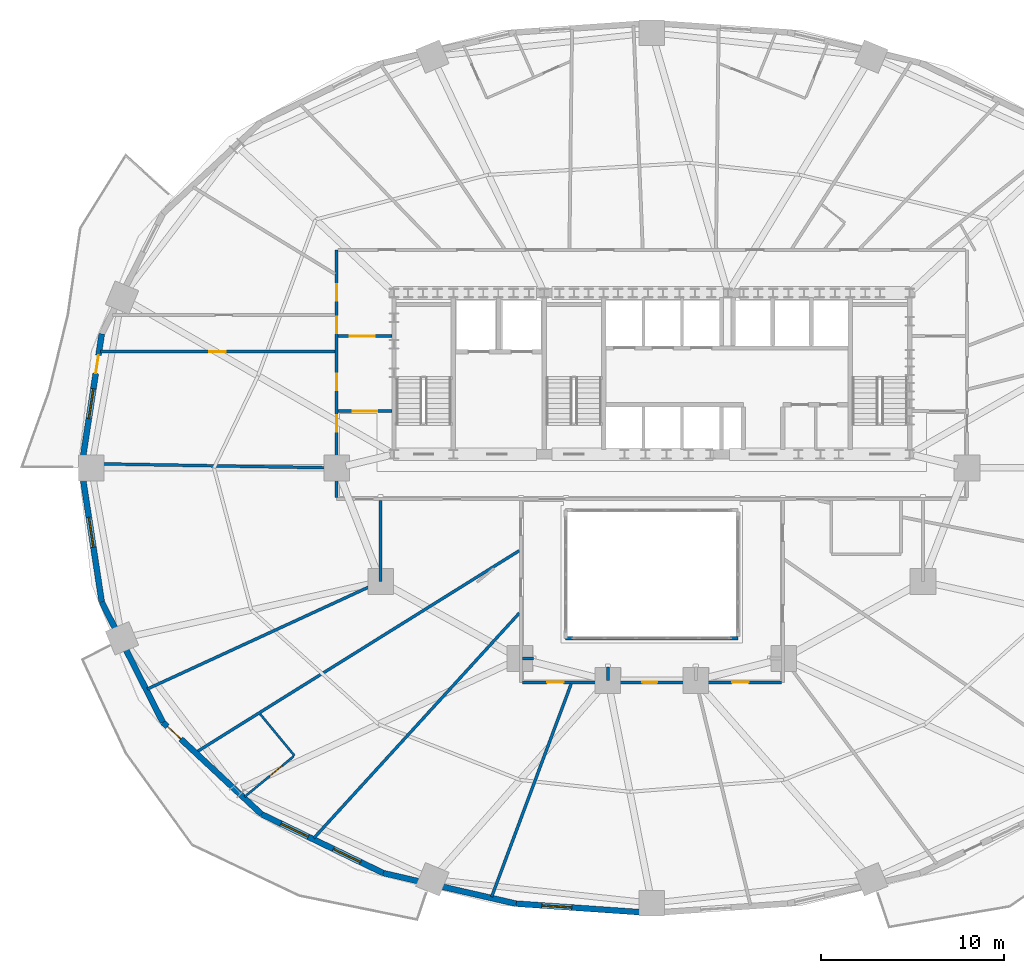
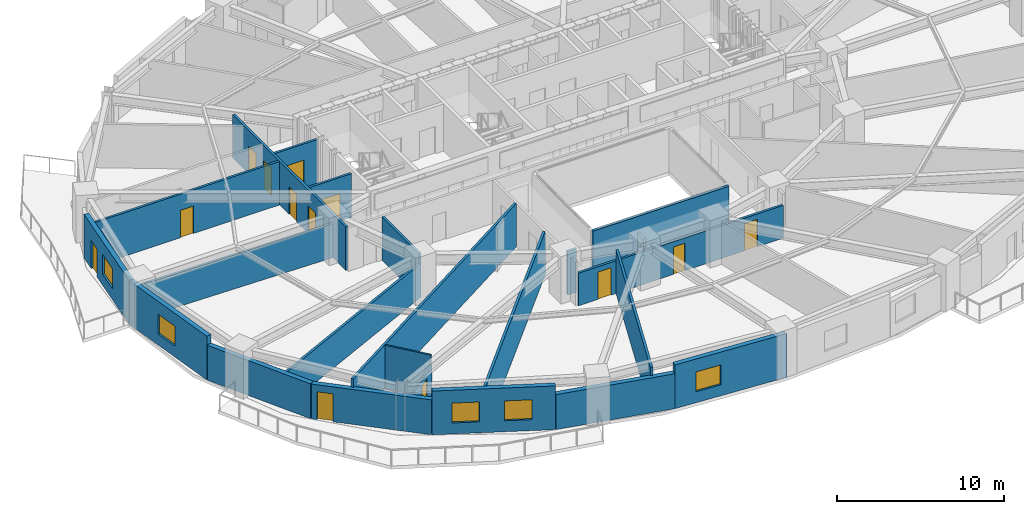
# One storey, part 8 of 16: 23 walls, 13 doors, 5 windows, 18 openings.
"""IFC4 building model written with IfcOpenShell, lengths in metres."""

from ifc_helpers import new_model, si_unit, direction, frame, frame_2d, origin, place, context, subcontext, project, spatial, rectangle, extrude, material, layer, layer_set, type_object, element, fill, save


model = new_model("IFC4")

# Units and contexts
model_context = context("Model", 3, precision=1e-05, world=origin(), true_north=direction((0.0, 1.0)))
body_context = subcontext(model_context, "Body", "Model", "MODEL_VIEW")
ifc_project = project(units=[si_unit("LENGTHUNIT", "METRE"), si_unit("AREAUNIT", "SQUARE_METRE"), si_unit("VOLUMEUNIT", "CUBIC_METRE"), si_unit("PLANEANGLEUNIT", "RADIAN"), si_unit("MASSUNIT", "GRAM", prefix="KILO")], contexts=[model_context])

# Site, building, storey
site_placement = place(None, origin())
site = spatial("IfcSite", under=ifc_project, at=site_placement, CompositionType="ELEMENT")
building_placement = place(site_placement, origin())
building = spatial("IfcBuilding", under=site, at=building_placement, Name="Haldorwick Loom Tower", CompositionType="ELEMENT")
storey_placement = place(building_placement, frame((0.0, 0.0, 68.85009765625)))
storey = spatial("IfcBuildingStorey", under=building, at=storey_placement, Name="L18", CompositionType="ELEMENT", Elevation=68.85009765625)

# Wall, openings, door, window
ifc_material_1 = material(Name="Pressed Clay Face Brick and Insulated Masonry Backup Assembly", Category="masonry")
ifc_layer_1 = layer(ifc_material_1, 0.320068359375, Name="Pressed Clay Face Brick and Insulated Masonry Backup Assembly", Category="masonry")
ifc_layer_set_1 = layer_set([ifc_layer_1], Name="Pressed Clay Face Brick and Insulated Masonry Backup Assembly")
wall_type_1 = type_object("IfcWallType", Name="ARC-WL-EXT320", PredefinedType="STANDARD", material=ifc_layer_set_1)
wall_1_placement = place(storey_placement, frame((5.978271484375, 33.320556640625, 0.0), z_axis=(0.0, 0.0, 1.0), x_axis=(-0.150476322528, -0.988613613278, 0.0)))
wall_1 = element("IfcWall", 1, at=wall_1_placement, inside=storey, type_object=wall_type_1, Name="L18 Brick Pier and Spandrel Wall 12", PredefinedType="STANDARD", context=body_context, shape_type="SweptSolid", body=[
    extrude(rectangle(XDim=7.40478515625, YDim=0.320068359375, at=frame_2d((3.702392578125, 0.0))), origin(), (0.0, 0.0, 1.0), 3.18994140625),
])
opening_1_placement = place(wall_1_placement, frame((1.18359375, 0.0, 0.0)))
opening_1 = element("IfcOpeningElement", 2, at=opening_1_placement, cuts=wall_1, Name="Opening D-BL10", PredefinedType="OPENING", context=body_context, shape_type="SweptSolid", body=[
    extrude(rectangle(XDim=1.0, YDim=2.0400390625, at=frame_2d((0.5, 1.02001953125))), frame((0.0, 0.169921875, 0.0), z_axis=(0.0, -1.0, 0.0), x_axis=(1.0, 0.0, 0.0)), (0.0, 0.0, 1.0), 0.340087890625),
])
opening_2_placement = place(wall_1_placement, frame((3.026611328125, 0.0, 0.800048828125)))
opening_2 = element("IfcOpeningElement", 3, at=opening_2_placement, cuts=wall_1, Name="Opening W-01B", PredefinedType="OPENING", context=body_context, shape_type="SweptSolid", body=[
    extrude(rectangle(XDim=1.64990234375, YDim=1.449951171875, at=frame_2d((0.824951171875, 0.72509765625))), frame((0.0, 0.169921875, 0.0), z_axis=(0.0, -1.0, 0.0), x_axis=(1.0, 0.0, 0.0)), (0.0, 0.0, 1.0), 0.340087890625),
])
ifc_material_2 = material(Name="Thermally Broken Anodized Aluminium Curtain Wall Framing", Category="aluminium")
door_type_1 = type_object("IfcDoorType", Name="ARC-DR-BAL100", OperationType="NOTDEFINED", PredefinedType="DOOR", material=ifc_material_2)
door_1_placement = place(opening_1_placement, origin())
door_1 = element("IfcDoor", 4, at=door_1_placement, inside=storey, type_object=door_type_1, Name="L18 Outdoor Terrace Door SLB-L18-BAL_WNW", OperationType="SINGLE_SWING_RIGHT", OverallHeight=2.0400390625, OverallWidth=1.0, PredefinedType="DOOR", context=body_context, shape_type="SweptSolid", body=[
    extrude(rectangle(XDim=1.0, YDim=2.0400390625, at=frame_2d((0.5, 1.02001953125))), frame((0.0, 0.02490234375, 0.0), z_axis=(0.0, -1.0, 0.0), x_axis=(1.0, 0.0, 0.0)), (0.0, 0.0, 1.0), 0.050048828125),
])
fill(opening_1, door_1)
ifc_material_3 = material(Name="Triple-Glazed Low-E Argon Insulated Glazing Unit", Category="glass")
window_type = type_object("IfcWindowType", Name="ARC-WIN-W165", PartitioningType="SINGLE_PANEL", PredefinedType="WINDOW", material=ifc_material_3)
window_1_placement = place(opening_2_placement, origin())
window_1 = element("IfcWindow", 5, at=window_1_placement, inside=storey, type_object=window_type, Name="L18 Deep-Set Zone 7A Window 12", OverallHeight=1.449951171875, OverallWidth=1.64990234375, PartitioningType="SINGLE_PANEL", PredefinedType="WINDOW", context=body_context, shape_type="SweptSolid", body=[
    extrude(rectangle(XDim=1.64990234375, YDim=1.449951171875, at=frame_2d((0.824951171875, 0.72509765625))), frame((0.0, 0.030029296875, 0.0), z_axis=(0.0, -1.0, 0.0), x_axis=(1.0, 0.0, 0.0)), (0.0, 0.0, 1.0), 0.06005859375),
])
fill(opening_2, window_1)

# Wall, opening, window
wall_2_placement = place(storey_placement, frame((4.864013671875, 26.0, 0.0), z_axis=(0.0, 0.0, 1.0), x_axis=(0.150476322528, -0.988613613278, 0.0)))
wall_2 = element("IfcWall", 6, at=wall_2_placement, inside=storey, type_object=wall_type_1, Name="L18 Brick Pier and Spandrel Wall 13", PredefinedType="STANDARD", context=body_context, shape_type="SweptSolid", body=[
    extrude(rectangle(XDim=7.40478515625, YDim=0.320068359375, at=frame_2d((3.702392578125, 0.0))), origin(), (0.0, 0.0, 1.0), 3.18994140625),
])
opening_3_placement = place(wall_2_placement, frame((2.728271484375, 0.0, 0.800048828125)))
opening_3 = element("IfcOpeningElement", 7, at=opening_3_placement, cuts=wall_2, Name="Opening W-01B", PredefinedType="OPENING", context=body_context, shape_type="SweptSolid", body=[
    extrude(rectangle(XDim=1.64990234375, YDim=1.449951171875, at=frame_2d((0.824951171875, 0.72509765625))), frame((0.0, 0.169921875, 0.0), z_axis=(0.0, -1.0, 0.0), x_axis=(1.0, 0.0, 0.0)), (0.0, 0.0, 1.0), 0.340087890625),
])
window_2_placement = place(opening_3_placement, origin())
window_2 = element("IfcWindow", 8, at=window_2_placement, inside=storey, type_object=window_type, Name="L18 Deep-Set Zone 7A Window 13", OverallHeight=1.449951171875, OverallWidth=1.64990234375, PartitioningType="SINGLE_PANEL", PredefinedType="WINDOW", context=body_context, shape_type="SweptSolid", body=[
    extrude(rectangle(XDim=1.64990234375, YDim=1.449951171875, at=frame_2d((0.824951171875, 0.72509765625))), frame((0.0, 0.030029296875, 0.0), z_axis=(0.0, -1.0, 0.0), x_axis=(1.0, 0.0, 0.0)), (0.0, 0.0, 1.0), 0.06005859375),
])
fill(opening_3, window_2)

# Wall
wall_3_placement = place(storey_placement, frame((5.978271484375, 18.679443359375, 0.0), z_axis=(0.0, 0.0, 1.0), x_axis=(0.452950855928, -0.891535485617, 0.0)))
element("IfcWall", 9, at=wall_3_placement, inside=storey, type_object=wall_type_1, Name="L18 Brick Pier and Spandrel Wall 14", PredefinedType="STANDARD", context=body_context, shape_type="SweptSolid", body=[
    extrude(rectangle(XDim=7.3583984375, YDim=0.320068359375, at=frame_2d((3.67919921875, 0.0))), origin(), (0.0, 0.0, 1.0), 2.548828125),
])

# Wall, opening, door
wall_4_placement = place(storey_placement, frame((9.311279296875, 12.119140625, 0.0), z_axis=(0.0, 0.0, 1.0), x_axis=(0.73176101237, -0.681561311091, 0.0)))
wall_4 = element("IfcWall", 10, at=wall_4_placement, inside=storey, type_object=wall_type_1, Name="L18 Brick Pier and Spandrel Wall 15", PredefinedType="STANDARD", context=body_context, shape_type="SweptSolid", body=[
    extrude(rectangle(XDim=7.3583984375, YDim=0.320068359375, at=frame_2d((3.67919921875, 0.0))), origin(), (0.0, 0.0, 1.0), 2.548828125),
])
opening_4_placement = place(wall_4_placement, frame((0.340087890625, 0.0, 0.0)))
opening_4 = element("IfcOpeningElement", 11, at=opening_4_placement, cuts=wall_4, Name="Opening D-BL10", PredefinedType="OPENING", context=body_context, shape_type="SweptSolid", body=[
    extrude(rectangle(XDim=1.0, YDim=2.0400390625, at=frame_2d((0.5, 1.02001953125))), frame((0.0, 0.169921875, 0.0), z_axis=(0.0, -1.0, 0.0), x_axis=(1.0, 0.0, 0.0)), (0.0, 0.0, 1.0), 0.340087890625),
])
door_2_placement = place(opening_4_placement, origin())
door_2 = element("IfcDoor", 12, at=door_2_placement, inside=storey, type_object=door_type_1, Name="L18 Outdoor Terrace Door SLB-L18-BAL_SW", OperationType="SINGLE_SWING_LEFT", OverallHeight=2.0400390625, OverallWidth=1.0, PredefinedType="DOOR", context=body_context, shape_type="SweptSolid", body=[
    extrude(rectangle(XDim=1.0, YDim=2.0400390625, at=frame_2d((0.5, 1.02001953125))), frame((0.0, 0.02490234375, 0.0), z_axis=(0.0, -1.0, 0.0), x_axis=(1.0, 0.0, 0.0)), (0.0, 0.0, 1.0), 0.050048828125),
])
fill(opening_4, door_2)

# Wall, openings, windows
wall_5_placement = place(storey_placement, frame((14.69580078125, 7.10400390625, 0.0), z_axis=(0.0, 0.0, 1.0), x_axis=(0.900295710431, -0.435278800057, 0.0)))
wall_5 = element("IfcWall", 13, at=wall_5_placement, inside=storey, type_object=wall_type_1, Name="L18 Brick Pier and Spandrel Wall 16", PredefinedType="STANDARD", context=body_context, shape_type="SweptSolid", body=[
    extrude(rectangle(XDim=7.39697265625, YDim=0.320068359375, at=frame_2d((3.698486328125, 0.0))), origin(), (0.0, 0.0, 1.0), 3.18994140625),
])
opening_5_placement = place(wall_5_placement, frame((1.1845703125, 0.0, 0.800048828125)))
opening_5 = element("IfcOpeningElement", 14, at=opening_5_placement, cuts=wall_5, Name="Opening W-01B", PredefinedType="OPENING", context=body_context, shape_type="SweptSolid", body=[
    extrude(rectangle(XDim=1.64990234375, YDim=1.449951171875, at=frame_2d((0.824951171875, 0.72509765625))), frame((0.0, 0.169921875, 0.0), z_axis=(0.0, -1.0, 0.0), x_axis=(1.0, 0.0, 0.0)), (0.0, 0.0, 1.0), 0.340087890625),
])
opening_6_placement = place(wall_5_placement, frame((4.352783203125, 0.0, 0.800048828125)))
opening_6 = element("IfcOpeningElement", 15, at=opening_6_placement, cuts=wall_5, Name="Opening W-01B", PredefinedType="OPENING", context=body_context, shape_type="SweptSolid", body=[
    extrude(rectangle(XDim=1.64990234375, YDim=1.449951171875, at=frame_2d((0.824951171875, 0.72509765625))), frame((0.0, 0.169921875, 0.0), z_axis=(0.0, -1.0, 0.0), x_axis=(1.0, 0.0, 0.0)), (0.0, 0.0, 1.0), 0.340087890625),
])
window_3_placement = place(opening_5_placement, origin())
window_3 = element("IfcWindow", 16, at=window_3_placement, inside=storey, type_object=window_type, Name="L18 Deep-Set Zone 7A Window 16", OverallHeight=1.449951171875, OverallWidth=1.64990234375, PartitioningType="SINGLE_PANEL", PredefinedType="WINDOW", context=body_context, shape_type="SweptSolid", body=[
    extrude(rectangle(XDim=1.64990234375, YDim=1.449951171875, at=frame_2d((0.824951171875, 0.72509765625))), frame((0.0, 0.030029296875, 0.0), z_axis=(0.0, -1.0, 0.0), x_axis=(1.0, 0.0, 0.0)), (0.0, 0.0, 1.0), 0.06005859375),
])
fill(opening_5, window_3)
window_4_placement = place(opening_6_placement, origin())
window_4 = element("IfcWindow", 17, at=window_4_placement, inside=storey, type_object=window_type, Name="L18 Deep-Set Zone 7A Window 16", OverallHeight=1.449951171875, OverallWidth=1.64990234375, PartitioningType="SINGLE_PANEL", PredefinedType="WINDOW", context=body_context, shape_type="SweptSolid", body=[
    extrude(rectangle(XDim=1.64990234375, YDim=1.449951171875, at=frame_2d((0.824951171875, 0.72509765625))), frame((0.0, 0.030029296875, 0.0), z_axis=(0.0, -1.0, 0.0), x_axis=(1.0, 0.0, 0.0)), (0.0, 0.0, 1.0), 0.06005859375),
])
fill(opening_6, window_4)

# Wall
wall_6_placement = place(storey_placement, frame((21.355224609375, 3.88427734375, 0.0), z_axis=(0.0, 0.0, 1.0), x_axis=(0.974522412345, -0.224290142088, 0.0)))
element("IfcWall", 18, at=wall_6_placement, inside=storey, type_object=wall_type_1, Name="L18 Brick Pier and Spandrel Wall 17", PredefinedType="STANDARD", context=body_context, shape_type="SweptSolid", body=[
    extrude(rectangle(XDim=7.422607421875, YDim=0.320068359375, at=frame_2d((3.71142578125, 0.0))), origin(), (0.0, 0.0, 1.0), 2.548828125),
])

# Wall, opening, window
wall_7_placement = place(storey_placement, frame((28.588623046875, 2.219482421875, 0.0), z_axis=(0.0, 0.0, 1.0), x_axis=(0.997645161917, -0.068586667092, 0.0)))
wall_7 = element("IfcWall", 19, at=wall_7_placement, inside=storey, type_object=wall_type_1, Name="L18 Brick Pier and Spandrel Wall 18", PredefinedType="STANDARD", context=body_context, shape_type="SweptSolid", body=[
    extrude(rectangle(XDim=7.428955078125, YDim=0.320068359375, at=frame_2d((3.71435546875, 0.0))), origin(), (0.0, 0.0, 1.0), 3.18994140625),
])
opening_7_placement = place(wall_7_placement, frame((1.403564453125, 0.0, 0.800048828125)))
opening_7 = element("IfcOpeningElement", 20, at=opening_7_placement, cuts=wall_7, Name="Opening W-01B", PredefinedType="OPENING", context=body_context, shape_type="SweptSolid", body=[
    extrude(rectangle(XDim=1.64990234375, YDim=1.449951171875, at=frame_2d((0.824951171875, 0.72509765625))), frame((0.0, 0.169921875, 0.0), z_axis=(0.0, -1.0, 0.0), x_axis=(1.0, 0.0, 0.0)), (0.0, 0.0, 1.0), 0.340087890625),
])
window_5_placement = place(opening_7_placement, origin())
window_5 = element("IfcWindow", 21, at=window_5_placement, inside=storey, type_object=window_type, Name="L18 Deep-Set Zone 7A Window 18", OverallHeight=1.449951171875, OverallWidth=1.64990234375, PartitioningType="SINGLE_PANEL", PredefinedType="WINDOW", context=body_context, shape_type="SweptSolid", body=[
    extrude(rectangle(XDim=1.64990234375, YDim=1.449951171875, at=frame_2d((0.824951171875, 0.72509765625))), frame((0.0, 0.030029296875, 0.0), z_axis=(0.0, -1.0, 0.0), x_axis=(1.0, 0.0, 0.0)), (0.0, 0.0, 1.0), 0.06005859375),
])
fill(opening_7, window_5)

# Wall, openings, doors
ifc_material_4 = material(Name="Fire-Rated Type X Gypsum Stud Assembly EI 60")
ifc_layer_2 = layer(ifc_material_4, 0.159912109375, Name="Fire-Rated Type X Gypsum Stud Assembly EI 60")
ifc_layer_set_2 = layer_set([ifc_layer_2], Name="Fire-Rated Type X Gypsum Stud Assembly EI 60")
wall_type_2 = type_object("IfcWallType", Name="ARC-WL-FIRE160", PredefinedType="PARTITIONING", material=ifc_layer_set_2)
wall_8_placement = place(storey_placement, frame((18.800048828125, 24.383056640625, 0.0), z_axis=(0.0, 0.0, 1.0), x_axis=(0.0, 1.0, 0.0)))
wall_8 = element("IfcWall", 22, at=wall_8_placement, inside=storey, type_object=wall_type_2, Name="L18 Residential Fire Partition L18-CR-W0", PredefinedType="PARTITIONING", context=body_context, shape_type="SweptSolid", body=[
    extrude(rectangle(XDim=13.516845703125, YDim=0.159912109375, at=frame_2d((6.75830078125, 0.0))), origin(), (0.0, 0.0, 1.0), 3.1748046875),
])
opening_8_placement = place(wall_8_placement, frame((8.967529296875, 0.0, 0.0)))
opening_8 = element("IfcOpeningElement", 23, at=opening_8_placement, cuts=wall_8, Name="Opening D-FD60A", PredefinedType="OPENING", context=body_context, shape_type="SweptSolid", body=[
    extrude(rectangle(XDim=0.89990234375, YDim=2.0, at=frame_2d((0.449951171875, 1.0))), frame((0.0, 0.08984375, 0.0), z_axis=(0.0, -1.0, 0.0), x_axis=(1.0, 0.0, 0.0)), (0.0, 0.0, 1.0), 0.179931640625),
])
opening_9_placement = place(wall_8_placement, frame((5.865234375, 0.0, 0.0)))
opening_9 = element("IfcOpeningElement", 24, at=opening_9_placement, cuts=wall_8, Name="Opening D-FD60A", PredefinedType="OPENING", context=body_context, shape_type="SweptSolid", body=[
    extrude(rectangle(XDim=0.89990234375, YDim=2.0, at=frame_2d((0.449951171875, 1.0))), frame((0.0, 0.08984375, 0.0), z_axis=(0.0, -1.0, 0.0), x_axis=(1.0, 0.0, 0.0)), (0.0, 0.0, 1.0), 0.179931640625),
])
opening_10_placement = place(wall_8_placement, frame((3.5908203125, 0.0, 0.0)))
opening_10 = element("IfcOpeningElement", 25, at=opening_10_placement, cuts=wall_8, Name="Opening D-FD60A", PredefinedType="OPENING", context=body_context, shape_type="SweptSolid", body=[
    extrude(rectangle(XDim=0.89990234375, YDim=2.0, at=frame_2d((0.449951171875, 1.0))), frame((0.0, 0.08984375, 0.0), z_axis=(0.0, -1.0, 0.0), x_axis=(1.0, 0.0, 0.0)), (0.0, 0.0, 1.0), 0.179931640625),
])
opening_11_placement = place(wall_8_placement, frame((10.740234375, 0.0, 0.0)))
opening_11 = element("IfcOpeningElement", 26, at=opening_11_placement, cuts=wall_8, Name="Opening D-FD60A", PredefinedType="OPENING", context=body_context, shape_type="SweptSolid", body=[
    extrude(rectangle(XDim=0.89990234375, YDim=2.0, at=frame_2d((0.449951171875, 1.0))), frame((0.0, 0.08984375, 0.0), z_axis=(0.0, -1.0, 0.0), x_axis=(1.0, 0.0, 0.0)), (0.0, 0.0, 1.0), 0.179931640625),
])
ifc_material_5 = material(Name="Hollow Steel Fire Door Assembly", Category="steel")
door_type_2 = type_object("IfcDoorType", Name="ARC-DR-FD60-90", OperationType="NOTDEFINED", PredefinedType="DOOR", material=ifc_material_5)
door_3_placement = place(opening_8_placement, origin())
door_3 = element("IfcDoor", 27, at=door_3_placement, inside=storey, type_object=door_type_2, Name="L18 L18 West Daylight Corridor to L18 North Residential Corridor Door", OperationType="SINGLE_SWING_RIGHT", OverallHeight=2.0, OverallWidth=0.89990234375, PredefinedType="DOOR", context=body_context, shape_type="SweptSolid", body=[
    extrude(rectangle(XDim=0.89990234375, YDim=2.0, at=frame_2d((0.449951171875, 1.0))), frame((0.0, 0.02490234375, 0.0), z_axis=(0.0, -1.0, 0.0), x_axis=(1.0, 0.0, 0.0)), (0.0, 0.0, 1.0), 0.050048828125),
])
fill(opening_8, door_3)
door_4_placement = place(opening_9_placement, frame((0.89990234375, 0.0, 0.0), z_axis=(0.0, 0.0, 1.0), x_axis=(-1.0, 0.0, 0.0)))
door_4 = element("IfcDoor", 28, at=door_4_placement, inside=storey, type_object=door_type_2, Name="L18 Community Library Hall 3 to L18 West Residential Corridor Door", OperationType="SINGLE_SWING_RIGHT", OverallHeight=2.0, OverallWidth=0.89990234375, PredefinedType="DOOR", context=body_context, shape_type="SweptSolid", body=[
    extrude(rectangle(XDim=0.89990234375, YDim=2.0, at=frame_2d((0.449951171875, 1.0))), frame((0.0, 0.02490234375, 0.0), z_axis=(0.0, -1.0, 0.0), x_axis=(1.0, 0.0, 0.0)), (0.0, 0.0, 1.0), 0.050048828125),
])
fill(opening_9, door_4)
door_5_placement = place(opening_10_placement, frame((0.89990234375, 0.0, 0.0), z_axis=(0.0, 0.0, 1.0), x_axis=(-1.0, 0.0, 0.0)))
door_5 = element("IfcDoor", 29, at=door_5_placement, inside=storey, type_object=door_type_2, Name="L18 Community Library Hall 3 to L18 Central Residential Corridor Door", OperationType="SINGLE_SWING_LEFT", OverallHeight=2.0, OverallWidth=0.89990234375, PredefinedType="DOOR", context=body_context, shape_type="SweptSolid", body=[
    extrude(rectangle(XDim=0.89990234375, YDim=2.0, at=frame_2d((0.449951171875, 1.0))), frame((0.0, 0.02490234375, 0.0), z_axis=(0.0, -1.0, 0.0), x_axis=(1.0, 0.0, 0.0)), (0.0, 0.0, 1.0), 0.050048828125),
])
fill(opening_10, door_5)
door_6_placement = place(opening_11_placement, frame((0.89990234375, 0.0, 0.0), z_axis=(0.0, 0.0, 1.0), x_axis=(-1.0, 0.0, 0.0)))
door_6 = element("IfcDoor", 30, at=door_6_placement, inside=storey, type_object=door_type_2, Name="L18 Resident Study Room 1 to L18 North Residential Corridor Door", OperationType="SINGLE_SWING_LEFT", OverallHeight=2.0, OverallWidth=0.89990234375, PredefinedType="DOOR", context=body_context, shape_type="SweptSolid", body=[
    extrude(rectangle(XDim=0.89990234375, YDim=2.0, at=frame_2d((0.449951171875, 1.0))), frame((0.0, 0.02490234375, 0.0), z_axis=(0.0, -1.0, 0.0), x_axis=(1.0, 0.0, 0.0)), (0.0, 0.0, 1.0), 0.050048828125),
])
fill(opening_11, door_6)

# Wall, opening, door
wall_9_placement = place(storey_placement, frame((18.883056640625, 29.10009765625, 0.0), z_axis=(0.0, 0.0, 1.0), x_axis=(1.0, 0.0, 0.0)))
wall_9 = element("IfcWall", 31, at=wall_9_placement, inside=storey, type_object=wall_type_2, Name="L18 Residential Fire Partition L18-CR-WSJ", PredefinedType="PARTITIONING", context=body_context, shape_type="SweptSolid", body=[
    extrude(rectangle(XDim=2.923828125, YDim=0.159912109375, at=frame_2d((1.4619140625, 0.0))), origin(), (0.0, 0.0, 1.0), 3.1748046875),
])
opening_12_placement = place(wall_9_placement, frame((0.787109375, 0.0, 0.0)))
opening_12 = element("IfcOpeningElement", 32, at=opening_12_placement, cuts=wall_9, Name="Opening D-CR15", PredefinedType="OPENING", context=body_context, shape_type="SweptSolid", body=[
    extrude(rectangle(XDim=1.35009765625, YDim=2.0, at=frame_2d((0.675048828125, 1.0))), frame((0.0, 0.08984375, 0.0), z_axis=(0.0, -1.0, 0.0), x_axis=(1.0, 0.0, 0.0)), (0.0, 0.0, 1.0), 0.179931640625),
])
ifc_material_6 = material(Name="Thermally Broken Anodized Aluminium and Tempered Glass", Category="aluminium")
door_type_3 = type_object("IfcDoorType", Name="ARC-DR-COR150", OperationType="NOTDEFINED", PredefinedType="DOOR", material=ifc_material_6)
door_7_placement = place(opening_12_placement, origin())
door_7 = element("IfcDoor", 33, at=door_7_placement, inside=storey, type_object=door_type_3, Name="L18 L18 West Residential Corridor to L18 Central Residential Corridor Do", OperationType="DOUBLE_DOOR_SINGLE_SWING", OverallHeight=2.0, OverallWidth=1.35009765625, PredefinedType="DOOR", context=body_context, shape_type="SweptSolid", body=[
    extrude(rectangle(XDim=1.35009765625, YDim=2.0, at=frame_2d((0.675048828125, 1.0))), frame((0.0, 0.02490234375, 0.0), z_axis=(0.0, -1.0, 0.0), x_axis=(1.0, 0.0, 0.0)), (0.0, 0.0, 1.0), 0.050048828125),
])
fill(opening_12, door_7)

wall_10_placement = place(storey_placement, frame((18.883056640625, 33.199951171875, 0.0), z_axis=(0.0, 0.0, 1.0), x_axis=(1.0, 0.0, 0.0)))
wall_10 = element("IfcWall", 34, at=wall_10_placement, inside=storey, type_object=wall_type_2, Name="L18 Residential Fire Partition L18-CR-WNJ", PredefinedType="PARTITIONING", context=body_context, shape_type="SweptSolid", body=[
    extrude(rectangle(XDim=2.923828125, YDim=0.159912109375, at=frame_2d((1.4619140625, 0.0))), origin(), (0.0, 0.0, 1.0), 3.1748046875),
])
opening_13_placement = place(wall_10_placement, frame((0.637939453125, 0.0, 0.0)))
opening_13 = element("IfcOpeningElement", 35, at=opening_13_placement, cuts=wall_10, Name="Opening D-CR15", PredefinedType="OPENING", context=body_context, shape_type="SweptSolid", body=[
    extrude(rectangle(XDim=1.35009765625, YDim=2.0, at=frame_2d((0.675048828125, 1.0))), frame((0.0, 0.08984375, 0.0), z_axis=(0.0, -1.0, 0.0), x_axis=(1.0, 0.0, 0.0)), (0.0, 0.0, 1.0), 0.179931640625),
])
door_8_placement = place(opening_13_placement, origin())
door_8 = element("IfcDoor", 36, at=door_8_placement, inside=storey, type_object=door_type_3, Name="L18 L18 North Residential Corridor to L18 West Residential Corridor Door", OperationType="DOUBLE_DOOR_SINGLE_SWING", OverallHeight=2.0, OverallWidth=1.35009765625, PredefinedType="DOOR", context=body_context, shape_type="SweptSolid", body=[
    extrude(rectangle(XDim=1.35009765625, YDim=2.0, at=frame_2d((0.675048828125, 1.0))), frame((0.0, 0.02490234375, 0.0), z_axis=(0.0, -1.0, 0.0), x_axis=(1.0, 0.0, 0.0)), (0.0, 0.0, 1.0), 0.050048828125),
])
fill(opening_13, door_8)

# Wall, openings, doors
wall_11_placement = place(storey_placement, frame((28.93310546875, 14.300048828125, 0.0), z_axis=(0.0, 0.0, 1.0), x_axis=(1.0, 0.0, 0.0)))
wall_11 = element("IfcWall", 37, at=wall_11_placement, inside=storey, type_object=wall_type_2, Name="L18 Residential Fire Partition L18-CR-AS", PredefinedType="PARTITIONING", context=body_context, shape_type="SweptSolid", body=[
    extrude(rectangle(XDim=14.1337890625, YDim=0.159912109375, at=frame_2d((7.06689453125, 0.0))), origin(), (0.0, 0.0, 1.0), 2.391845703125),
])
opening_14_placement = place(wall_11_placement, frame((11.455322265625, 0.0, 0.0)))
opening_14 = element("IfcOpeningElement", 38, at=opening_14_placement, cuts=wall_11, Name="Opening D-FD60A", PredefinedType="OPENING", context=body_context, shape_type="SweptSolid", body=[
    extrude(rectangle(XDim=0.89990234375, YDim=2.0, at=frame_2d((0.449951171875, 1.0))), frame((0.0, 0.08984375, 0.0), z_axis=(0.0, -1.0, 0.0), x_axis=(1.0, 0.0, 0.0)), (0.0, 0.0, 1.0), 0.179931640625),
])
opening_15_placement = place(wall_11_placement, frame((1.35205078125, 0.0, 0.0)))
opening_15 = element("IfcOpeningElement", 39, at=opening_15_placement, cuts=wall_11, Name="Opening D-FD60A", PredefinedType="OPENING", context=body_context, shape_type="SweptSolid", body=[
    extrude(rectangle(XDim=0.89990234375, YDim=2.0, at=frame_2d((0.449951171875, 1.0))), frame((0.0, 0.08984375, 0.0), z_axis=(0.0, -1.0, 0.0), x_axis=(1.0, 0.0, 0.0)), (0.0, 0.0, 1.0), 0.179931640625),
])
opening_16_placement = place(wall_11_placement, frame((6.5537109375, 0.0, 0.0)))
opening_16 = element("IfcOpeningElement", 40, at=opening_16_placement, cuts=wall_11, Name="Opening D-FD80", PredefinedType="OPENING", context=body_context, shape_type="SweptSolid", body=[
    extrude(rectangle(XDim=0.800048828125, YDim=2.0, at=frame_2d((0.39990234375, 1.0))), frame((0.0, 0.08984375, 0.0), z_axis=(0.0, -1.0, 0.0), x_axis=(1.0, 0.0, 0.0)), (0.0, 0.0, 1.0), 0.179931640625),
])
door_type_4 = type_object("IfcDoorType", Name="ARC-DR-FD60-80", OperationType="NOTDEFINED", PredefinedType="DOOR", material=ifc_material_5)
door_9_placement = place(opening_16_placement, origin())
door_9 = element("IfcDoor", 41, at=door_9_placement, inside=storey, type_object=door_type_4, Name="L18 L18 South Atrium Corridor to Community Library Hall 6 Door", OperationType="SINGLE_SWING_LEFT", OverallHeight=2.0, OverallWidth=0.800048828125, PredefinedType="DOOR", context=body_context, shape_type="SweptSolid", body=[
    extrude(rectangle(XDim=0.800048828125, YDim=2.0, at=frame_2d((0.39990234375, 1.0))), frame((0.0, 0.02490234375, 0.0), z_axis=(0.0, -1.0, 0.0), x_axis=(1.0, 0.0, 0.0)), (0.0, 0.0, 1.0), 0.050048828125),
])
fill(opening_16, door_9)
door_10_placement = place(opening_14_placement, origin())
door_10 = element("IfcDoor", 42, at=door_10_placement, inside=storey, type_object=door_type_2, Name="L18 L18 South Atrium Corridor to Community Library Hall 1 Door", OperationType="SINGLE_SWING_RIGHT", OverallHeight=2.0, OverallWidth=0.89990234375, PredefinedType="DOOR", context=body_context, shape_type="SweptSolid", body=[
    extrude(rectangle(XDim=0.89990234375, YDim=2.0, at=frame_2d((0.449951171875, 1.0))), frame((0.0, 0.02490234375, 0.0), z_axis=(0.0, -1.0, 0.0), x_axis=(1.0, 0.0, 0.0)), (0.0, 0.0, 1.0), 0.050048828125),
])
fill(opening_14, door_10)
door_11_placement = place(opening_15_placement, origin())
door_11 = element("IfcDoor", 43, at=door_11_placement, inside=storey, type_object=door_type_2, Name="L18 L18 South Atrium Corridor to Community Library Hall 7 Door", OperationType="SINGLE_SWING_LEFT", OverallHeight=2.0, OverallWidth=0.89990234375, PredefinedType="DOOR", context=body_context, shape_type="SweptSolid", body=[
    extrude(rectangle(XDim=0.89990234375, YDim=2.0, at=frame_2d((0.449951171875, 1.0))), frame((0.0, 0.02490234375, 0.0), z_axis=(0.0, -1.0, 0.0), x_axis=(1.0, 0.0, 0.0)), (0.0, 0.0, 1.0), 0.050048828125),
])
fill(opening_15, door_11)

# Wall, opening, door
wall_12_placement = place(storey_placement, frame((5.896240234375, 32.35009765625, 0.0), z_axis=(0.0, 0.0, 1.0), x_axis=(1.0, 0.0, 0.0)))
wall_12 = element("IfcWall", 44, at=wall_12_placement, inside=storey, type_object=wall_type_2, Name="L18 Residential Fire Partition L18-CR-GW0", PredefinedType="PARTITIONING", context=body_context, shape_type="SweptSolid", body=[
    extrude(rectangle(XDim=12.82080078125, YDim=0.159912109375, at=frame_2d((6.410400390625, 0.0))), origin(), (0.0, 0.0, 1.0), 3.1748046875),
])
opening_17_placement = place(wall_12_placement, frame((5.96044921875, 0.0, 0.0)))
opening_17 = element("IfcOpeningElement", 45, at=opening_17_placement, cuts=wall_12, Name="Opening D-FD60A", PredefinedType="OPENING", context=body_context, shape_type="SweptSolid", body=[
    extrude(rectangle(XDim=0.89990234375, YDim=2.0, at=frame_2d((0.449951171875, 1.0))), frame((0.0, 0.08984375, 0.0), z_axis=(0.0, -1.0, 0.0), x_axis=(1.0, 0.0, 0.0)), (0.0, 0.0, 1.0), 0.179931640625),
])
door_12_placement = place(opening_17_placement, origin())
door_12 = element("IfcDoor", 46, at=door_12_placement, inside=storey, type_object=door_type_2, Name="L18 L18 West Daylight Corridor to Community Library Hall 3 Door", OperationType="SINGLE_SWING_LEFT", OverallHeight=2.0, OverallWidth=0.89990234375, PredefinedType="DOOR", context=body_context, shape_type="SweptSolid", body=[
    extrude(rectangle(XDim=0.89990234375, YDim=2.0, at=frame_2d((0.449951171875, 1.0))), frame((0.0, 0.02490234375, 0.0), z_axis=(0.0, -1.0, 0.0), x_axis=(1.0, 0.0, 0.0)), (0.0, 0.0, 1.0), 0.050048828125),
])
fill(opening_17, door_12)

# Walls
wall_13_placement = place(storey_placement, frame((21.199951171875, 19.800048828125, 0.0), z_axis=(0.0, 0.0, 1.0), x_axis=(-0.908289282678, -0.418342657366, 0.0)))
element("IfcWall", 47, at=wall_13_placement, inside=storey, type_object=wall_type_2, Name="L18 Residential Fire Partition L18-ICR-09", PredefinedType="PARTITIONING", context=body_context, shape_type="SweptSolid", body=[
    extrude(rectangle(XDim=14.023681640625, YDim=0.159912109375, at=frame_2d((7.01171875, 0.0))), origin(), (0.0, 0.0, 1.0), 2.469970703125),
])
wall_14_placement = place(storey_placement, frame((18.717041015625, 26.00146484375, 0.0), z_axis=(0.0, 0.0, 1.0), x_axis=(-0.999847727423, 0.017450557794, 0.0)))
element("IfcWall", 48, at=wall_14_placement, inside=storey, type_object=wall_type_2, Name="L18 Residential Fire Partition L18-ICR-10", PredefinedType="PARTITIONING", context=body_context, shape_type="SweptSolid", body=[
    extrude(rectangle(XDim=13.752685546875, YDim=0.159912109375, at=frame_2d((6.87646484375, 0.0))), origin(), (0.0, 0.0, 1.0), 2.469970703125),
])
wall_15_placement = place(storey_placement, frame((33.60009765625, 15.14990234375, 0.0), z_axis=(0.0, 0.0, 1.0), x_axis=(0.0, -1.0, 0.0)))
element("IfcWall", 49, at=wall_15_placement, inside=storey, type_object=wall_type_2, Name="L18 Residential Fire Partition L18-ICA-06", PredefinedType="PARTITIONING", context=body_context, shape_type="SweptSolid", body=[
    extrude(rectangle(XDim=0.75, YDim=0.159912109375, at=frame_2d((0.375, 0.0))), origin(), (0.0, 0.0, 1.0), 3.1748046875),
])
wall_16_placement = place(storey_placement, frame((29.550048828125, 15.60009765625, 0.0), z_axis=(0.0, 0.0, 1.0), x_axis=(-1.0, 0.0, 0.0)))
element("IfcWall", 50, at=wall_16_placement, inside=storey, type_object=wall_type_2, Name="L18 Residential Fire Partition L18-ICA-07", PredefinedType="PARTITIONING", context=body_context, shape_type="SweptSolid", body=[
    extrude(rectangle(XDim=0.616943359375, YDim=0.159912109375, at=frame_2d((0.30859375, 0.0))), origin(), (0.0, 0.0, 1.0), 3.1748046875),
])
wall_17_placement = place(storey_placement, frame((21.199951171875, 24.217041015625, 0.0), z_axis=(0.0, 0.0, 1.0), x_axis=(0.0, -1.0, 0.0)))
element("IfcWall", 51, at=wall_17_placement, inside=storey, type_object=wall_type_2, Name="L18 Residential Fire Partition L18-ICA-08", PredefinedType="PARTITIONING", context=body_context, shape_type="SweptSolid", body=[
    extrude(rectangle(XDim=4.4169921875, YDim=0.159912109375, at=frame_2d((2.20849609375, 0.0))), origin(), (0.0, 0.0, 1.0), 3.1748046875),
])
wall_18_placement = place(storey_placement, frame((28.76708984375, 18.0791015625, 0.0), z_axis=(0.0, 0.0, 1.0), x_axis=(-0.674325044328, -0.738434651538, 0.0)))
element("IfcWall", 52, at=wall_18_placement, inside=storey, type_object=wall_type_2, Name="L18 Suite Split Wall", PredefinedType="PARTITIONING", context=body_context, shape_type="SweptSolid", body=[
    extrude(rectangle(XDim=16.634033203125, YDim=0.159912109375, at=frame_2d((8.31689453125, 0.0))), origin(), (0.0, 0.0, 1.0), 3.1748046875),
])
wall_19_placement = place(storey_placement, frame((31.59912109375, 14.217041015625, 0.0), z_axis=(0.0, 0.0, 1.0), x_axis=(-0.349894146689, -0.936789243166, 0.0)))
element("IfcWall", 53, at=wall_19_placement, inside=storey, type_object=wall_type_2, Name="L18 Suite Split Wall", PredefinedType="PARTITIONING", context=body_context, shape_type="SweptSolid", body=[
    extrude(rectangle(XDim=12.408935546875, YDim=0.159912109375, at=frame_2d((6.20458984375, 0.0))), origin(), (0.0, 0.0, 1.0), 3.1748046875),
])
wall_20_placement = place(storey_placement, frame((28.76708984375, 21.488037109375, 0.0), z_axis=(0.0, 0.0, 1.0), x_axis=(-0.848460978523, -0.529257940822, 0.0)))
element("IfcWall", 54, at=wall_20_placement, inside=storey, type_object=wall_type_2, Name="L18 Suite Split Wall", PredefinedType="PARTITIONING", context=body_context, shape_type="SweptSolid", body=[
    extrude(rectangle(XDim=20.766357421875, YDim=0.159912109375, at=frame_2d((10.38330078125, 0.0))), origin(), (0.0, 0.0, 1.0), 3.1748046875),
])
ifc_material_7 = material(Name="Fire-Rated Type X Gypsum Stud Assembly EI 120")
ifc_layer_3 = layer(ifc_material_7, 0.199951171875, Name="Fire-Rated Type X Gypsum Stud Assembly EI 120")
ifc_layer_set_3 = layer_set([ifc_layer_3], Name="Fire-Rated Type X Gypsum Stud Assembly EI 120")
wall_type_3 = type_object("IfcWallType", Name="ARC-WL-FIRE200", PredefinedType="PARTITIONING", material=ifc_layer_set_3)
wall_21_placement = place(storey_placement, frame((40.699951171875, 16.699951171875, 0.0), z_axis=(0.0, 0.0, 1.0), x_axis=(-1.0, 0.0, 0.0)))
element("IfcWall", 55, at=wall_21_placement, inside=storey, type_object=wall_type_3, Name="L18 Atrium Fire Enclosure Wall S", PredefinedType="PARTITIONING", context=body_context, shape_type="SweptSolid", body=[
    extrude(rectangle(XDim=9.39990234375, YDim=0.199951171875, at=frame_2d((4.699951171875, 0.0))), origin(), (0.0, 0.0, 1.0), 3.1748046875),
])
ifc_material_8 = material(Name="Acoustic Gypsum Stud Assembly STC 55")
ifc_layer_4 = layer(ifc_material_8, 0.1201171875, Name="Acoustic Gypsum Stud Assembly STC 55")
ifc_layer_set_4 = layer_set([ifc_layer_4], Name="Acoustic Gypsum Stud Assembly STC 55")
wall_type_4 = type_object("IfcWallType", Name="ARC-WL-PART120", PredefinedType="PARTITIONING", material=ifc_layer_set_4)
wall_22_placement = place(storey_placement, frame((14.623291015625, 12.5673828125, 0.0), z_axis=(0.0, 0.0, 1.0), x_axis=(0.636169454273, -0.771549366826, 0.0)))
element("IfcWall", 56, at=wall_22_placement, inside=storey, type_object=wall_type_4, Name="L18 Unit 18H Interior Partition", PredefinedType="PARTITIONING", context=body_context, shape_type="SweptSolid", body=[
    extrude(rectangle(XDim=2.943115234375, YDim=0.1201171875, at=frame_2d((1.4716796875, 0.0))), origin(), (0.0, 0.0, 1.0), 3.1748046875),
])

# Wall, opening, door
wall_23_placement = place(storey_placement, frame((16.447021484375, 10.256591796875, 0.0), z_axis=(0.0, 0.0, 1.0), x_axis=(-0.771559992121, -0.636156567645, 0.0)))
wall_23 = element("IfcWall", 57, at=wall_23_placement, inside=storey, type_object=wall_type_4, Name="L18 Unit 18H Interior Partition", PredefinedType="PARTITIONING", context=body_context, shape_type="SweptSolid", body=[
    extrude(rectangle(XDim=3.465576171875, YDim=0.1201171875, at=frame_2d((1.73291015625, 0.0))), origin(), (0.0, 0.0, 1.0), 2.469970703125),
])
opening_18_placement = place(wall_23_placement, frame((0.81640625, 0.0, 0.0)))
opening_18 = element("IfcOpeningElement", 58, at=opening_18_placement, cuts=wall_23, Name="Opening D-BT88", PredefinedType="OPENING", context=body_context, shape_type="SweptSolid", body=[
    extrude(rectangle(XDim=0.8798828125, YDim=2.02001953125, at=frame_2d((0.43994140625, 1.010009765625))), frame((0.0, 0.070068359375, 0.0), z_axis=(0.0, -1.0, 0.0), x_axis=(1.0, 0.0, 0.0)), (0.0, 0.0, 1.0), 0.14013671875),
])
ifc_material_9 = material(Name="Solid Core Birch Architectural Door")
door_type_5 = type_object("IfcDoorType", Name="ARC-DR-BATH88", OperationType="NOTDEFINED", PredefinedType="DOOR", material=ifc_material_9)
door_13_placement = place(opening_18_placement, origin())
door_13 = element("IfcDoor", 59, at=door_13_placement, inside=storey, type_object=door_type_5, Name="L18 Unit 18H Kitchen and Studio Living Room to Unit 18H Bathroom Door", OperationType="SINGLE_SWING_LEFT", OverallHeight=2.02001953125, OverallWidth=0.8798828125, PredefinedType="DOOR", context=body_context, shape_type="SweptSolid", body=[
    extrude(rectangle(XDim=0.8798828125, YDim=2.02001953125, at=frame_2d((0.43994140625, 1.010009765625))), frame((0.0, 0.02490234375, 0.0), z_axis=(0.0, -1.0, 0.0), x_axis=(1.0, 0.0, 0.0)), (0.0, 0.0, 1.0), 0.050048828125),
])
fill(opening_18, door_13)

save(model, "model.ifc")
